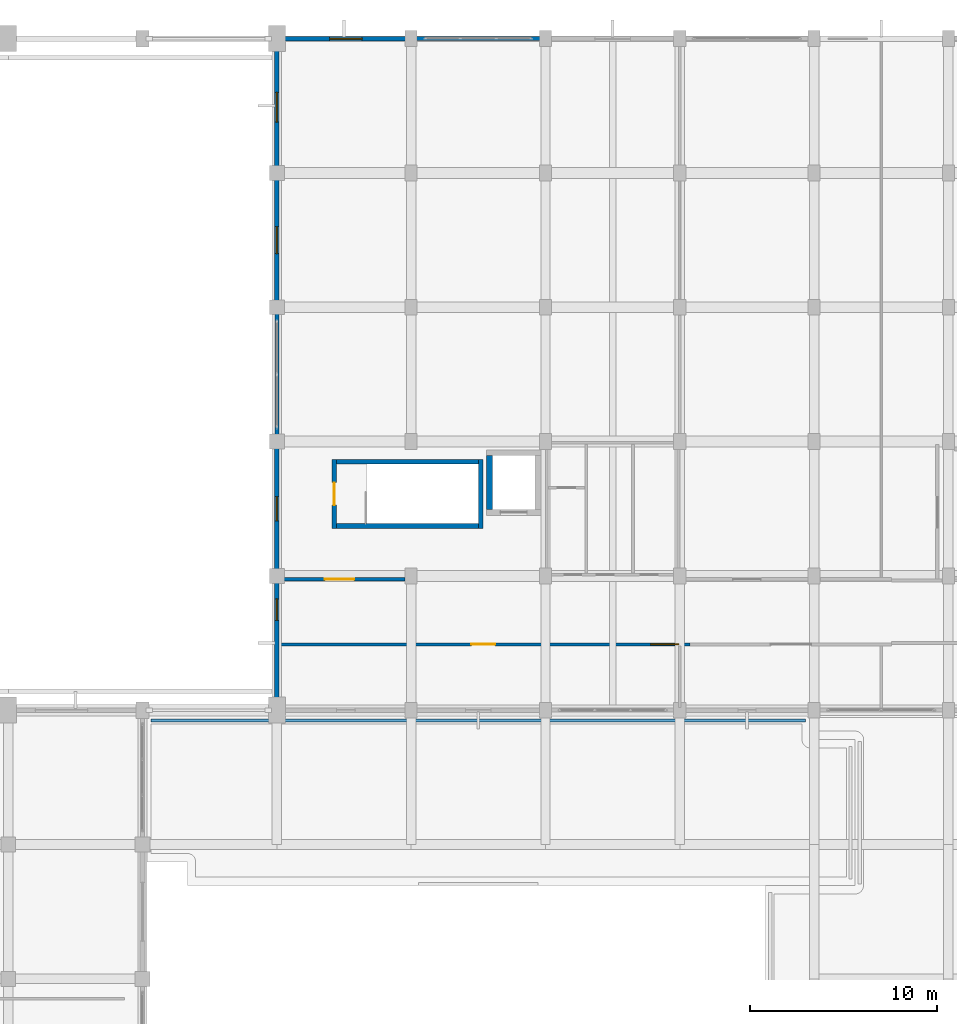
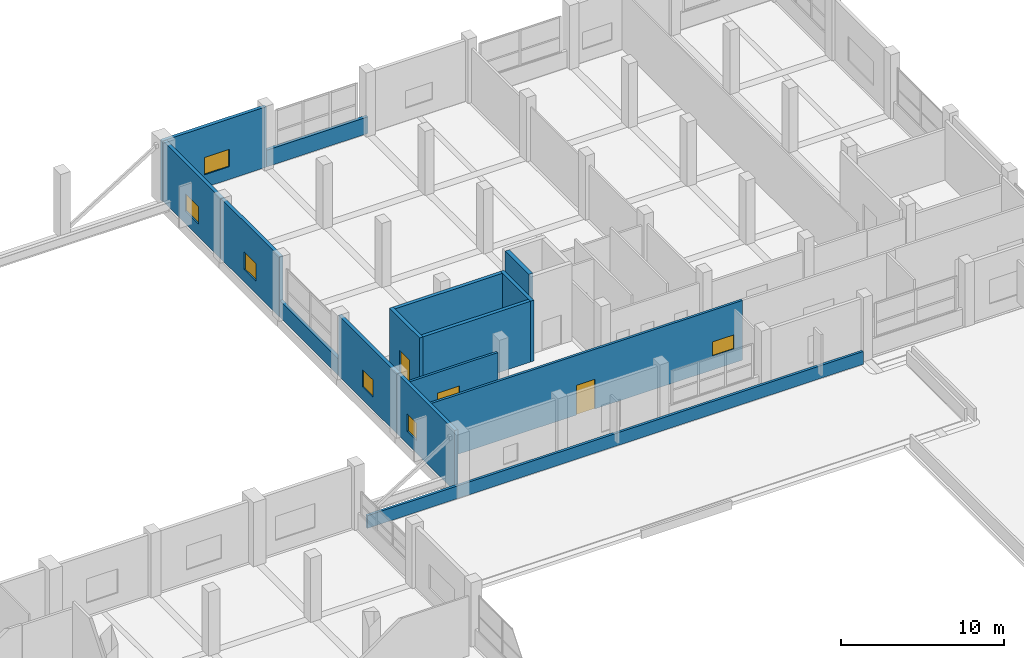
# One storey, part 127 of 140: 15 walls, 6 windows, 3 doors, 9 openings.
"""IFC4 building model written with IfcOpenShell, lengths in metres."""

from ifc_helpers import new_model, si_unit, direction, frame, frame_2d, origin, place, context, subcontext, project, spatial, rectangle, extrude, material, layer, layer_set, type_object, element, fill, save


model = new_model("IFC4")

# Units and contexts
model_context = context("Model", 3, precision=1e-05, world=origin(), true_north=direction((0.0, 1.0)))
body_context = subcontext(model_context, "Body", "Model", "MODEL_VIEW")
ifc_project = project(units=[si_unit("LENGTHUNIT", "METRE"), si_unit("AREAUNIT", "SQUARE_METRE"), si_unit("VOLUMEUNIT", "CUBIC_METRE"), si_unit("PLANEANGLEUNIT", "RADIAN"), si_unit("MASSUNIT", "GRAM", prefix="KILO")], contexts=[model_context])

# Site, building, storey
site_placement = place(None, origin())
site = spatial("IfcSite", under=ifc_project, at=site_placement, CompositionType="ELEMENT")
building_placement = place(site_placement, origin())
building = spatial("IfcBuilding", under=site, at=building_placement, Name="Seraya Terrace Polytechnic", CompositionType="ELEMENT")
storey_placement = place(building_placement, frame((0.0, 0.0, 9.60009765625)))
storey = spatial("IfcBuildingStorey", under=building, at=storey_placement, Name="L02", CompositionType="ELEMENT", Elevation=9.60009765625)

# Wall, opening, window
ifc_material_1 = material(Name="Concrete C40/50", Category="concrete")
ifc_layer_1 = layer(ifc_material_1, 0.239990234375, Name="EW-04")
ifc_layer_set_1 = layer_set([ifc_layer_1], Name="Concrete C40/50")
wall_type_1 = type_object("IfcWallType", Name="EW-04", PredefinedType="SOLIDWALL", material=ifc_layer_set_1)
wall_1_placement = place(storey_placement, frame((115.199951171875, 79.35205078125, 0.0), z_axis=(0.0, 0.0, 1.0), x_axis=(0.0, 1.0, 0.0)))
wall_1 = element("IfcWall", 1, at=wall_1_placement, inside=storey, type_object=wall_type_1, Name="Exterior structural wall EW-04 L02", PredefinedType="SOLIDWALL", context=body_context, shape_type="SweptSolid", body=[
    extrude(rectangle(XDim=7.0478515625, YDim=0.239990234375, at=frame_2d((3.52392578125, 0.0))), origin(), (0.0, 0.0, 1.0), 4.52001953125),
])
opening_1_placement = place(wall_1_placement, frame((4.6630859375, 0.0, 0.949951171875)))
opening_1 = element("IfcOpeningElement", 2, at=opening_1_placement, cuts=wall_1, Name="Opening WN-02", PredefinedType="OPENING", context=body_context, shape_type="SweptSolid", body=[
    extrude(rectangle(XDim=1.14990234375, YDim=1.300048828125, at=frame_2d((0.574951171875, 0.64990234375))), frame((0.0, 0.1318359375, 0.0), z_axis=(0.0, -1.0, 0.0), x_axis=(1.0, 0.0, 0.0)), (0.0, 0.0, 1.0), 0.263916015625),
])
ifc_material_2 = material(Name="Laminated solar-control Low-E double glazing", Category="glass")
window_type_1 = type_object("IfcWindowType", Name="WN-02", PartitioningType="SINGLE_PANEL", PredefinedType="WINDOW", material=ifc_material_2)
window_1_placement = place(opening_1_placement, origin())
window_1 = element("IfcWindow", 3, at=window_1_placement, inside=storey, type_object=window_type_1, Name="Exterior window WN-02 L02", OverallHeight=1.300048828125, OverallWidth=1.14990234375, PartitioningType="SINGLE_PANEL", PredefinedType="WINDOW", context=body_context, shape_type="SweptSolid", body=[
    extrude(rectangle(XDim=1.14990234375, YDim=1.300048828125, at=frame_2d((0.574951171875, 0.64990234375))), frame((0.0, 0.030029296875, 0.0), z_axis=(0.0, -1.0, 0.0), x_axis=(1.0, 0.0, 0.0)), (0.0, 0.0, 1.0), 0.06005859375),
])
fill(opening_1, window_1)

wall_2_placement = place(storey_placement, frame((115.199951171875, 86.39990234375, 0.0), z_axis=(0.0, 0.0, 1.0), x_axis=(0.0, 1.0, 0.0)))
wall_2 = element("IfcWall", 4, at=wall_2_placement, inside=storey, type_object=wall_type_1, Name="Exterior structural wall EW-04 L02", PredefinedType="SOLIDWALL", context=body_context, shape_type="SweptSolid", body=[
    extrude(rectangle(XDim=7.2001953125, YDim=0.239990234375, at=frame_2d((3.60009765625, 0.0))), origin(), (0.0, 0.0, 1.0), 4.52001953125),
])
opening_2_placement = place(wall_2_placement, frame((2.949951171875, 0.0, 0.949951171875)))
opening_2 = element("IfcOpeningElement", 5, at=opening_2_placement, cuts=wall_2, Name="Opening WN-03", PredefinedType="OPENING", context=body_context, shape_type="SweptSolid", body=[
    extrude(rectangle(XDim=1.300048828125, YDim=1.300048828125, at=frame_2d((0.64990234375, 0.64990234375))), frame((0.0, 0.1318359375, 0.0), z_axis=(0.0, -1.0, 0.0), x_axis=(1.0, 0.0, 0.0)), (0.0, 0.0, 1.0), 0.263916015625),
])
window_type_2 = type_object("IfcWindowType", Name="WN-03", PartitioningType="SINGLE_PANEL", PredefinedType="WINDOW", material=ifc_material_2)
window_2_placement = place(opening_2_placement, origin())
window_2 = element("IfcWindow", 6, at=window_2_placement, inside=storey, type_object=window_type_2, Name="Exterior window WN-03 L02", OverallHeight=1.300048828125, OverallWidth=1.300048828125, PartitioningType="SINGLE_PANEL", PredefinedType="WINDOW", context=body_context, shape_type="SweptSolid", body=[
    extrude(rectangle(XDim=1.300048828125, YDim=1.300048828125, at=frame_2d((0.64990234375, 0.64990234375))), frame((0.0, 0.030029296875, 0.0), z_axis=(0.0, -1.0, 0.0), x_axis=(1.0, 0.0, 0.0)), (0.0, 0.0, 1.0), 0.06005859375),
])
fill(opening_2, window_2)

wall_3_placement = place(storey_placement, frame((115.199951171875, 100.800048828125, 0.0), z_axis=(0.0, 0.0, 1.0), x_axis=(0.0, 1.0, 0.0)))
wall_3 = element("IfcWall", 7, at=wall_3_placement, inside=storey, type_object=wall_type_1, Name="Exterior structural wall EW-04 L02", PredefinedType="SOLIDWALL", context=body_context, shape_type="SweptSolid", body=[
    extrude(rectangle(XDim=7.199951171875, YDim=0.239990234375, at=frame_2d((3.60009765625, 0.0))), origin(), (0.0, 0.0, 1.0), 4.52001953125),
])
opening_3_placement = place(wall_3_placement, frame((2.875, 0.0, 0.949951171875)))
opening_3 = element("IfcOpeningElement", 8, at=opening_3_placement, cuts=wall_3, Name="Opening WN-04", PredefinedType="OPENING", context=body_context, shape_type="SweptSolid", body=[
    extrude(rectangle(XDim=1.449951171875, YDim=1.300048828125, at=frame_2d((0.72509765625, 0.64990234375))), frame((0.0, 0.1318359375, 0.0), z_axis=(0.0, -1.0, 0.0), x_axis=(1.0, 0.0, 0.0)), (0.0, 0.0, 1.0), 0.263916015625),
])
window_type_3 = type_object("IfcWindowType", Name="WN-04", PartitioningType="SINGLE_PANEL", PredefinedType="WINDOW", material=ifc_material_2)
window_3_placement = place(opening_3_placement, origin())
window_3 = element("IfcWindow", 9, at=window_3_placement, inside=storey, type_object=window_type_3, Name="Exterior window WN-04 L02", OverallHeight=1.300048828125, OverallWidth=1.449951171875, PartitioningType="SINGLE_PANEL", PredefinedType="WINDOW", context=body_context, shape_type="SweptSolid", body=[
    extrude(rectangle(XDim=1.449951171875, YDim=1.300048828125, at=frame_2d((0.72509765625, 0.64990234375))), frame((0.0, 0.030029296875, 0.0), z_axis=(0.0, -1.0, 0.0), x_axis=(1.0, 0.0, 0.0)), (0.0, 0.0, 1.0), 0.06005859375),
])
fill(opening_3, window_3)

wall_4_placement = place(storey_placement, frame((115.199951171875, 108.0, 0.0), z_axis=(0.0, 0.0, 1.0), x_axis=(0.0, 1.0, 0.0)))
wall_4 = element("IfcWall", 10, at=wall_4_placement, inside=storey, type_object=wall_type_1, Name="Exterior structural wall EW-04 L02", PredefinedType="SOLIDWALL", context=body_context, shape_type="SweptSolid", body=[
    extrude(rectangle(XDim=7.048095703125, YDim=0.239990234375, at=frame_2d((3.52392578125, 0.0))), origin(), (0.0, 0.0, 1.0), 4.52001953125),
])
opening_4_placement = place(wall_4_placement, frame((2.72412109375, 0.0, 0.949951171875)))
opening_4 = element("IfcOpeningElement", 11, at=opening_4_placement, cuts=wall_4, Name="Opening WN-05", PredefinedType="OPENING", context=body_context, shape_type="SweptSolid", body=[
    extrude(rectangle(XDim=1.60009765625, YDim=1.300048828125, at=frame_2d((0.800048828125, 0.64990234375))), frame((0.0, 0.1318359375, 0.0), z_axis=(0.0, -1.0, 0.0), x_axis=(1.0, 0.0, 0.0)), (0.0, 0.0, 1.0), 0.263916015625),
])
window_type_4 = type_object("IfcWindowType", Name="WN-05", PartitioningType="SINGLE_PANEL", PredefinedType="WINDOW", material=ifc_material_2)
window_4_placement = place(opening_4_placement, origin())
window_4 = element("IfcWindow", 12, at=window_4_placement, inside=storey, type_object=window_type_4, Name="Exterior window WN-05 L02", OverallHeight=1.300048828125, OverallWidth=1.60009765625, PartitioningType="SINGLE_PANEL", PredefinedType="WINDOW", context=body_context, shape_type="SweptSolid", body=[
    extrude(rectangle(XDim=1.60009765625, YDim=1.300048828125, at=frame_2d((0.800048828125, 0.64990234375))), frame((0.0, 0.030029296875, 0.0), z_axis=(0.0, -1.0, 0.0), x_axis=(1.0, 0.0, 0.0)), (0.0, 0.0, 1.0), 0.06005859375),
])
fill(opening_4, window_4)

wall_5_placement = place(storey_placement, frame((115.050048828125, 115.199951171875, 0.0), z_axis=(0.0, 0.0, 1.0), x_axis=(1.0, 0.0, 0.0)))
wall_5 = element("IfcWall", 13, at=wall_5_placement, inside=storey, type_object=wall_type_1, Name="Exterior structural wall EW-04 L02", PredefinedType="SOLIDWALL", context=body_context, shape_type="SweptSolid", body=[
    extrude(rectangle(XDim=7.349853515625, YDim=0.239990234375, at=frame_2d((3.6748046875, 0.0))), origin(), (0.0, 0.0, 1.0), 4.52001953125),
])
opening_5_placement = place(wall_5_placement, frame((2.97509765625, 0.0, 0.949951171875)))
opening_5 = element("IfcOpeningElement", 14, at=opening_5_placement, cuts=wall_5, Name="Opening WN-06", PredefinedType="OPENING", context=body_context, shape_type="SweptSolid", body=[
    extrude(rectangle(XDim=1.75, YDim=1.300048828125, at=frame_2d((0.875, 0.64990234375))), frame((0.0, 0.1318359375, 0.0), z_axis=(0.0, -1.0, 0.0), x_axis=(1.0, 0.0, 0.0)), (0.0, 0.0, 1.0), 0.263916015625),
])
window_type_5 = type_object("IfcWindowType", Name="WN-06", PartitioningType="SINGLE_PANEL", PredefinedType="WINDOW", material=ifc_material_2)
window_5_placement = place(opening_5_placement, origin())
window_5 = element("IfcWindow", 15, at=window_5_placement, inside=storey, type_object=window_type_5, Name="Exterior window WN-06 L02", OverallHeight=1.300048828125, OverallWidth=1.75, PartitioningType="SINGLE_PANEL", PredefinedType="WINDOW", context=body_context, shape_type="SweptSolid", body=[
    extrude(rectangle(XDim=1.75, YDim=1.300048828125, at=frame_2d((0.875, 0.64990234375))), frame((0.0, 0.030029296875, 0.0), z_axis=(0.0, -1.0, 0.0), x_axis=(1.0, 0.0, 0.0)), (0.0, 0.0, 1.0), 0.06005859375),
])
fill(opening_5, window_5)

# Walls
ifc_material_3 = material(Name="Precast concrete C40/50", Category="concrete")
ifc_layer_2 = layer(ifc_material_3, 0.219970703125, Name="EW-05")
ifc_layer_set_2 = layer_set([ifc_layer_2], Name="Precast concrete C40/50")
wall_type_2 = type_object("IfcWallType", Name="EW-05", PredefinedType="SOLIDWALL", material=ifc_layer_set_2)
wall_6_placement = place(storey_placement, frame((115.199951171875, 93.60009765625, 0.0), z_axis=(0.0, 0.0, 1.0), x_axis=(0.0, 1.0, 0.0)))
element("IfcWall", 16, at=wall_6_placement, inside=storey, type_object=wall_type_2, Name="Precast spandrel wall L02", PredefinedType="SOLIDWALL", context=body_context, shape_type="SweptSolid", body=[
    extrude(rectangle(XDim=7.199951171875, YDim=0.219970703125, at=frame_2d((3.60009765625, 0.0))), origin(), (0.0, 0.0, 1.0), 1.239990234375),
])
wall_7_placement = place(storey_placement, frame((122.39990234375, 115.199951171875, 0.0), z_axis=(0.0, 0.0, 1.0), x_axis=(1.0, 0.0, 0.0)))
element("IfcWall", 17, at=wall_7_placement, inside=storey, type_object=wall_type_2, Name="Precast spandrel wall L02", PredefinedType="SOLIDWALL", context=body_context, shape_type="SweptSolid", body=[
    extrude(rectangle(XDim=7.2001953125, YDim=0.219970703125, at=frame_2d((3.60009765625, 0.0))), origin(), (0.0, 0.0, 1.0), 1.239990234375),
])

# Wall, opening, door
ifc_material_4 = material(Name="Autoclaved aerated concrete blockwork", Category="masonry")
ifc_layer_3 = layer(ifc_material_4, 0.169921875, Name="PT-02")
ifc_layer_set_3 = layer_set([ifc_layer_3], Name="Autoclaved aerated concrete blockwork")
wall_type_3 = type_object("IfcWallType", Name="PT-02", PredefinedType="PARTITIONING", material=ifc_layer_set_3)
wall_8_placement = place(storey_placement, frame((115.33203125, 86.219970703125, 0.0), z_axis=(0.0, 0.0, 1.0), x_axis=(1.0, 0.0, 0.0)))
wall_8 = element("IfcWall", 18, at=wall_8_placement, inside=storey, type_object=wall_type_3, Name="Internal partition PT-02 L02", PredefinedType="PARTITIONING", context=body_context, shape_type="SweptSolid", body=[
    extrude(rectangle(XDim=6.73291015625, YDim=0.169921875, at=frame_2d((3.366455078125, 0.0))), origin(), (0.0, 0.0, 1.0), 3.7998046875),
])
opening_6_placement = place(wall_8_placement, frame((2.447509765625, 0.0, 0.0)))
opening_6 = element("IfcOpeningElement", 19, at=opening_6_placement, cuts=wall_8, Name="Opening ID-12", PredefinedType="OPENING", context=body_context, shape_type="SweptSolid", body=[
    extrude(rectangle(XDim=1.56005859375, YDim=2.260009765625, at=frame_2d((0.780029296875, 1.1298828125))), frame((0.0, 0.096923828125, 0.0), z_axis=(0.0, -1.0, 0.0), x_axis=(1.0, 0.0, 0.0)), (0.0, 0.0, 1.0), 0.19384765625),
])
ifc_material_5 = material(Name="Malaysian dark red meranti hardwood timber D40", Category="wood")
door_type_1 = type_object("IfcDoorType", Name="ID-12", OperationType="DOUBLE_DOOR_SINGLE_SWING", PredefinedType="DOOR", material=ifc_material_5)
door_1_placement = place(opening_6_placement, frame((1.56005859375, 0.0, 0.0), z_axis=(0.0, 0.0, 1.0), x_axis=(-1.0, 0.0, 0.0)))
door_1 = element("IfcDoor", 20, at=door_1_placement, inside=storey, type_object=door_type_1, Name="Door ID-12 DR-INT-L02-0153 in WL-INT-L02-0482", OperationType="DOUBLE_DOOR_SINGLE_SWING", OverallHeight=2.260009765625, OverallWidth=1.56005859375, PredefinedType="DOOR", context=body_context, shape_type="SweptSolid", body=[
    extrude(rectangle(XDim=1.56005859375, YDim=2.260009765625, at=frame_2d((0.780029296875, 1.1298828125))), frame((0.0, 0.02490234375, 0.0), z_axis=(0.0, -1.0, 0.0), x_axis=(1.0, 0.0, 0.0)), (0.0, 0.0, 1.0), 0.050048828125),
])
fill(opening_6, door_1)

# Wall, openings, door, window
wall_9_placement = place(storey_placement, frame((115.33203125, 82.72998046875, 0.0), z_axis=(0.0, 0.0, 1.0), x_axis=(1.0, 0.0, 0.0)))
wall_9 = element("IfcWall", 21, at=wall_9_placement, inside=storey, type_object=wall_type_3, Name="Internal partition PT-02 L02", PredefinedType="PARTITIONING", context=body_context, shape_type="SweptSolid", body=[
    extrude(rectangle(XDim=22.028076171875, YDim=0.169921875, at=frame_2d((11.01416015625, 0.0))), origin(), (0.0, 0.0, 1.0), 4.4599609375),
])
opening_7_placement = place(wall_9_placement, frame((10.2900390625, 0.0, 0.0)))
opening_7 = element("IfcOpeningElement", 22, at=opening_7_placement, cuts=wall_9, Name="Opening ID-08", PredefinedType="OPENING", context=body_context, shape_type="SweptSolid", body=[
    extrude(rectangle(XDim=1.280029296875, YDim=2.219970703125, at=frame_2d((0.64013671875, 1.10986328125))), frame((0.0, 0.096923828125, 0.0), z_axis=(0.0, -1.0, 0.0), x_axis=(1.0, 0.0, 0.0)), (0.0, 0.0, 1.0), 0.19384765625),
])
opening_8_placement = place(wall_9_placement, frame((19.909912109375, 0.0, 1.050048828125)))
opening_8 = element("IfcOpeningElement", 23, at=opening_8_placement, cuts=wall_9, Name="Opening IW-01", PredefinedType="OPENING", context=body_context, shape_type="SweptSolid", body=[
    extrude(rectangle(XDim=1.5, YDim=1.050048828125, at=frame_2d((0.75, 0.52490234375))), frame((0.0, 0.096923828125, 0.0), z_axis=(0.0, -1.0, 0.0), x_axis=(1.0, 0.0, 0.0)), (0.0, 0.0, 1.0), 0.19384765625),
])
door_type_2 = type_object("IfcDoorType", Name="ID-08", OperationType="NOTDEFINED", PredefinedType="DOOR", material=ifc_material_5)
door_2_placement = place(opening_7_placement, frame((1.280029296875, 0.0, 0.0), z_axis=(0.0, 0.0, 1.0), x_axis=(-1.0, 0.0, 0.0)))
door_2 = element("IfcDoor", 24, at=door_2_placement, inside=storey, type_object=door_type_2, Name="Door ID-08 DR-INT-L02-0133 in WL-INT-L02-0483", OperationType="SINGLE_SWING_RIGHT", OverallHeight=2.219970703125, OverallWidth=1.280029296875, PredefinedType="DOOR", context=body_context, shape_type="SweptSolid", body=[
    extrude(rectangle(XDim=1.280029296875, YDim=2.219970703125, at=frame_2d((0.64013671875, 1.10986328125))), frame((0.0, 0.02490234375, 0.0), z_axis=(0.0, -1.0, 0.0), x_axis=(1.0, 0.0, 0.0)), (0.0, 0.0, 1.0), 0.050048828125),
])
fill(opening_7, door_2)
window_type_6 = type_object("IfcWindowType", Name="IW-01", PartitioningType="SINGLE_PANEL", PredefinedType="WINDOW", material=ifc_material_2)
window_6_placement = place(opening_8_placement, origin())
window_6 = element("IfcWindow", 25, at=window_6_placement, inside=storey, type_object=window_type_6, Name="Internal lab vision window IW-01 L02", OverallHeight=1.050048828125, OverallWidth=1.5, PartitioningType="SINGLE_PANEL", PredefinedType="WINDOW", context=body_context, shape_type="SweptSolid", body=[
    extrude(rectangle(XDim=1.5, YDim=1.050048828125, at=frame_2d((0.75, 0.52490234375))), frame((0.0, 0.030029296875, 0.0), z_axis=(0.0, -1.0, 0.0), x_axis=(1.0, 0.0, 0.0)), (0.0, 0.0, 1.0), 0.06005859375),
])
fill(opening_8, window_6)

# Walls
ifc_layer_4 = layer(ifc_material_3, 0.179931640625, Name="PW-P2")
ifc_layer_set_4 = layer_set([ifc_layer_4], Name="Precast concrete C40/50")
wall_type_4 = type_object("IfcWallType", Name="PW-P2", PredefinedType="PARAPET", material=ifc_layer_set_4)
wall_10_placement = place(storey_placement, frame((108.449951171875, 78.64990234375, 0.0), z_axis=(0.0, 0.0, 1.0), x_axis=(1.0, 0.0, 0.0)))
element("IfcWall", 26, at=wall_10_placement, inside=storey, type_object=wall_type_4, Name="Roof parapet ROOF-L02-NERIM 7.1", PredefinedType="PARAPET", context=body_context, shape_type="SweptSolid", body=[
    extrude(rectangle(XDim=35.10009765625, YDim=0.179931640625, at=frame_2d((17.550048828125, 0.0))), origin(), (0.0, 0.0, 1.0), 0.949951171875),
])
ifc_layer_5 = layer(ifc_material_1, 0.300048828125, Name="SW-01")
ifc_layer_set_5 = layer_set([ifc_layer_5], Name="Concrete C40/50")
wall_type_5 = type_object("IfcWallType", Name="SW-01", PredefinedType="SHEAR", material=ifc_layer_set_5)
wall_11_placement = place(storey_placement, frame((126.60009765625, 89.949951171875, 0.0), z_axis=(0.0, 0.0, 1.0), x_axis=(0.0, 1.0, 0.0)))
element("IfcWall", 27, at=wall_11_placement, inside=storey, type_object=wall_type_5, Name="Lift shaft GL-01 West wall L02", PredefinedType="SHEAR", context=body_context, shape_type="SweptSolid", body=[
    extrude(rectangle(XDim=2.900146484375, YDim=0.300048828125, at=frame_2d((1.4501953125, 0.0))), origin(), (0.0, 0.0, 1.0), 5.789794921875),
])

# Wall, opening, door
ifc_layer_6 = layer(ifc_material_1, 0.25, Name="SW-02")
ifc_layer_set_6 = layer_set([ifc_layer_6], Name="Concrete C40/50")
wall_type_6 = type_object("IfcWallType", Name="SW-02", PredefinedType="SHEAR", material=ifc_layer_set_6)
wall_12_placement = place(storey_placement, frame((118.27490234375, 88.949951171875, 0.0), z_axis=(0.0, 0.0, 1.0), x_axis=(0.0, 1.0, 0.0)))
wall_12 = element("IfcWall", 28, at=wall_12_placement, inside=storey, type_object=wall_type_6, Name="Stairwell ST-08 West wall L02", PredefinedType="SHEAR", context=body_context, shape_type="SweptSolid", body=[
    extrude(rectangle(XDim=3.699951171875, YDim=0.25, at=frame_2d((1.85009765625, 0.0))), origin(), (0.0, 0.0, 1.0), 4.5498046875),
])
opening_9_placement = place(wall_12_placement, frame((1.25, 0.0, 0.0)))
opening_9 = element("IfcOpeningElement", 29, at=opening_9_placement, cuts=wall_12, Name="Opening FD-01", PredefinedType="OPENING", context=body_context, shape_type="SweptSolid", body=[
    extrude(rectangle(XDim=1.199951171875, YDim=2.14990234375, at=frame_2d((0.60009765625, 1.074951171875))), frame((0.0, 0.136962890625, 0.0), z_axis=(0.0, -1.0, 0.0), x_axis=(1.0, 0.0, 0.0)), (0.0, 0.0, 1.0), 0.27392578125),
])
ifc_material_6 = material(Name="Steel S355J2", Category="steel")
door_type_3 = type_object("IfcDoorType", Name="FD-01", OperationType="NOTDEFINED", PredefinedType="DOOR", material=ifc_material_6)
door_3_placement = place(opening_9_placement, frame((1.199951171875, 0.0, 0.0), z_axis=(0.0, 0.0, 1.0), x_axis=(-1.0, 0.0, 0.0)))
door_3 = element("IfcDoor", 30, at=door_3_placement, inside=storey, type_object=door_type_3, Name="Door FD-01 DR-STR-ST-08-L02 in WL-STR-ST-08-L02-W", OperationType="SINGLE_SWING_RIGHT", OverallHeight=2.14990234375, OverallWidth=1.199951171875, PredefinedType="DOOR", context=body_context, shape_type="SweptSolid", body=[
    extrude(rectangle(XDim=1.199951171875, YDim=2.14990234375, at=frame_2d((0.60009765625, 1.074951171875))), frame((0.0, 0.02490234375, 0.0), z_axis=(0.0, -1.0, 0.0), x_axis=(1.0, 0.0, 0.0)), (0.0, 0.0, 1.0), 0.050048828125),
])
fill(opening_9, door_3)

# Walls
wall_13_placement = place(storey_placement, frame((126.125, 88.949951171875, 0.0), z_axis=(0.0, 0.0, 1.0), x_axis=(0.0, 1.0, 0.0)))
element("IfcWall", 31, at=wall_13_placement, inside=storey, type_object=wall_type_6, Name="Stairwell ST-08 East wall L02", PredefinedType="SHEAR", context=body_context, shape_type="SweptSolid", body=[
    extrude(rectangle(XDim=3.699951171875, YDim=0.25, at=frame_2d((1.85009765625, 0.0))), origin(), (0.0, 0.0, 1.0), 4.5498046875),
])
for number, where, z_axis, x_axis, name in (
    (32, (118.39990234375, 89.074951171875, 0.0), (0.0, 0.0, 1.0), (1.0, 0.0, 0.0), "Stairwell ST-08 South wall L02"),
    (33, (118.39990234375, 92.52490234375, 0.0), (0.0, 0.0, 1.0), (1.0, 0.0, 0.0), "Stairwell ST-08 North wall L02"),
):
    element("IfcWall", number, at=place(storey_placement, frame(where, z_axis=z_axis, x_axis=x_axis)), inside=storey, type_object=wall_type_6, Name=name, PredefinedType="SHEAR", context=body_context, shape_type="SweptSolid", body=[
        extrude(rectangle(XDim=7.60009765625, YDim=0.25, at=frame_2d((3.800048828125, 0.0))), origin(), (0.0, 0.0, 1.0), 4.5498046875),
    ])

save(model, "model.ifc")
